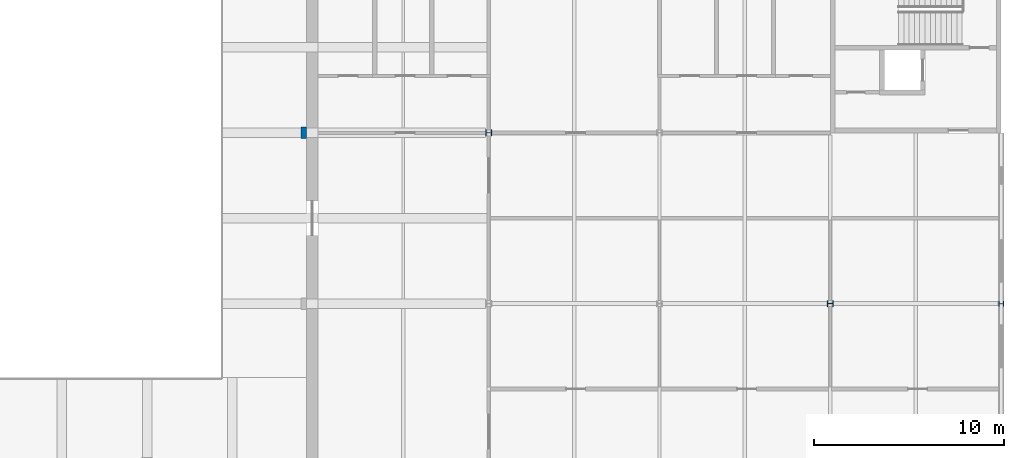
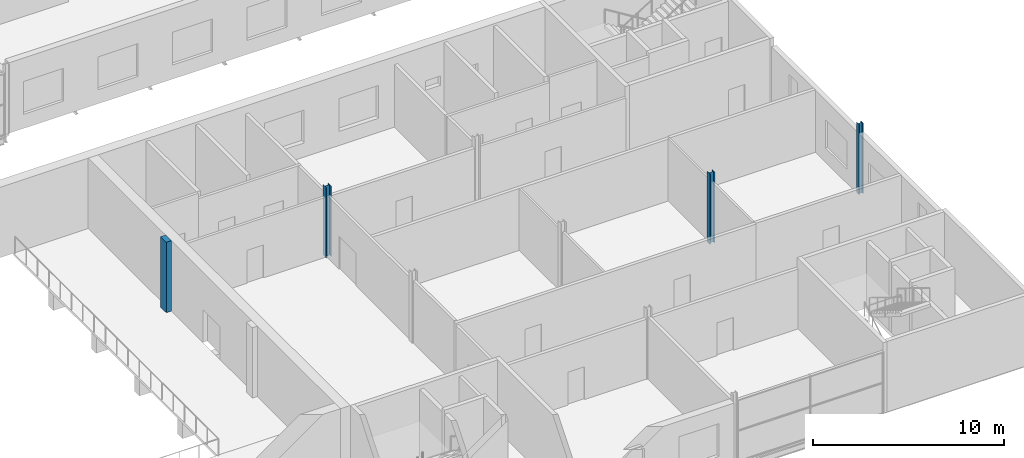
# One storey, part 24 of 97: 4 columns.
"""IFC4 building model written with IfcOpenShell, lengths in metres."""

from ifc_helpers import new_model, si_unit, direction, frame, origin, origin_2d, place, context, subcontext, project, spatial, rectangle, i_section, extrude, material, material_profile, profile_set, type_object, element, save


model = new_model("IFC4")

# Units and contexts
model_context = context("Model", 3, precision=1e-05, world=origin(), true_north=direction((0.0, 1.0)))
body_context = subcontext(model_context, "Body", "Model", "MODEL_VIEW")
ifc_project = project(units=[si_unit("LENGTHUNIT", "METRE"), si_unit("AREAUNIT", "SQUARE_METRE"), si_unit("VOLUMEUNIT", "CUBIC_METRE"), si_unit("PLANEANGLEUNIT", "RADIAN"), si_unit("MASSUNIT", "GRAM", prefix="KILO")], contexts=[model_context])

# Site, building, storey
site_placement = place(None, origin())
site = spatial("IfcSite", under=ifc_project, at=site_placement, CompositionType="ELEMENT")
building_placement = place(site_placement, origin())
building = spatial("IfcBuilding", under=site, at=building_placement, Name="Corbel Yard City Hall", CompositionType="ELEMENT")
storey_placement = place(building_placement, frame((0.0, 0.0, 6.0)))
storey = spatial("IfcBuildingStorey", under=building, at=storey_placement, Name="L01", CompositionType="ELEMENT", Elevation=6.0)

# Columns
ifc_material_1 = material(Name="Concrete N50 (50 MPa)", Category="concrete")
ifc_material_profile_1 = material_profile(ifc_material_1, rectangle(XDim=0.60009765625, YDim=0.300048828125, at=origin_2d()), Name="600x300")
ifc_profile_set_1 = profile_set([ifc_material_profile_1], Name="Concrete N50 (50 MPa)")
column_type_1 = type_object("IfcColumnType", Name="Chamber pilaster RC 600X300", PredefinedType="PILASTER", material=ifc_profile_set_1)
column_1_placement = place(storey_placement, frame((143.25, 72.0, 0.0), z_axis=(0.0, 0.0, 1.0), x_axis=(0.0, 1.0, 0.0)))
element("IfcColumn", 1, at=column_1_placement, inside=storey, type_object=column_type_1, Name="Chamber pilaster RC 600X300 RC2 L01", PredefinedType="PILASTER", context=body_context, shape_type="SweptSolid", body=[
    extrude(rectangle(XDim=0.60009765625, YDim=0.300048828125, at=origin_2d()), origin(), (0.0, 0.0, 1.0), 4.5),
])
ifc_material_2 = material(Name="Steel Grade 300 (300 MPa yield)", Category="steel")
ifc_material_profile_2 = material_profile(ifc_material_2, i_section(OverallWidth=0.256103515625, OverallDepth=0.260009765625, WebThickness=0.010498046875, FlangeThickness=0.017333984375, at=origin_2d()), Name="250UC89.5")
ifc_profile_set_2 = profile_set([ifc_material_profile_2], Name="Steel Grade 300 (300 MPa yield)")
column_type_2 = type_object("IfcColumnType", Name="Column 250UC89.5", PredefinedType="COLUMN", material=ifc_profile_set_2)
column_2_placement = place(storey_placement, frame((180.0, 63.0, 0.0), z_axis=(0.0, 0.0, 1.0), x_axis=(0.0, 1.0, 0.0)))
element("IfcColumn", 2, at=column_2_placement, inside=storey, type_object=column_type_2, Name="Column 250UC89.5 H/21 L01", PredefinedType="COLUMN", context=body_context, shape_type="SweptSolid", body=[
    extrude(i_section(OverallWidth=0.256103515625, OverallDepth=0.260009765625, WebThickness=0.010498046875, FlangeThickness=0.017333984375, at=origin_2d()), origin(), (0.0, 0.0, 1.0), 4.5),
])
ifc_material_profile_3 = material_profile(ifc_material_2, i_section(OverallWidth=0.306884765625, OverallDepth=0.31494140625, WebThickness=0.011962890625, FlangeThickness=0.018798828125, at=origin_2d()), Name="310UC118")
ifc_profile_set_3 = profile_set([ifc_material_profile_3], Name="Steel Grade 300 (300 MPa yield)")
column_type_3 = type_object("IfcColumnType", Name="Column 310UC118", PredefinedType="COLUMN", material=ifc_profile_set_3)
for number, where, z_axis, x_axis, name in (
    (3, (153.0, 72.0, 0.0), (0.0, 0.0, 1.0), (0.0, 1.0, 0.0), "Column 310UC118 I/18 L01"),
    (4, (171.0, 63.0, 0.0), (0.0, 0.0, 1.0), (0.0, 1.0, 0.0), "Column 310UC118 H/20 L01"),
):
    element("IfcColumn", number, at=place(storey_placement, frame(where, z_axis=z_axis, x_axis=x_axis)), inside=storey, type_object=column_type_3, Name=name, PredefinedType="COLUMN", context=body_context, shape_type="SweptSolid", body=[
        extrude(i_section(OverallWidth=0.306884765625, OverallDepth=0.31494140625, WebThickness=0.011962890625, FlangeThickness=0.018798828125, at=origin_2d()), origin(), (0.0, 0.0, 1.0), 4.5),
    ])

save(model, "model.ifc")
